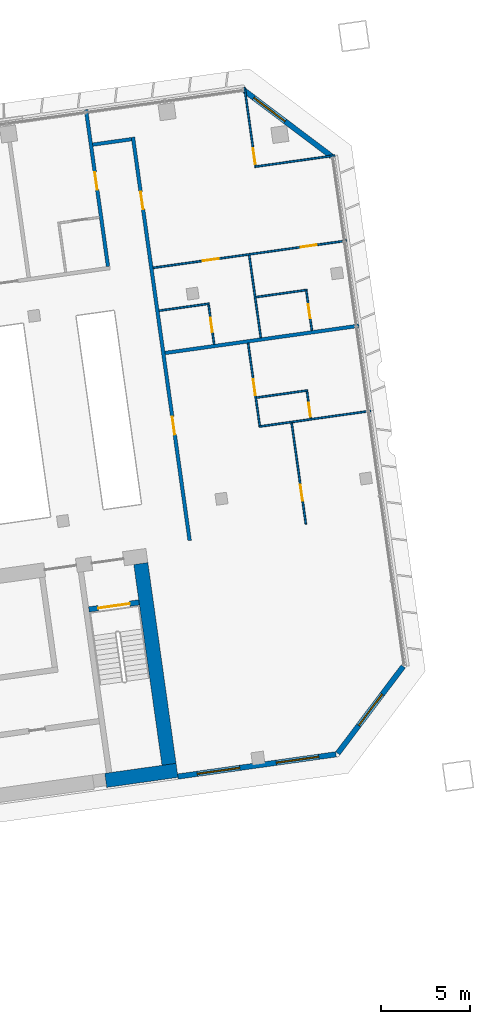
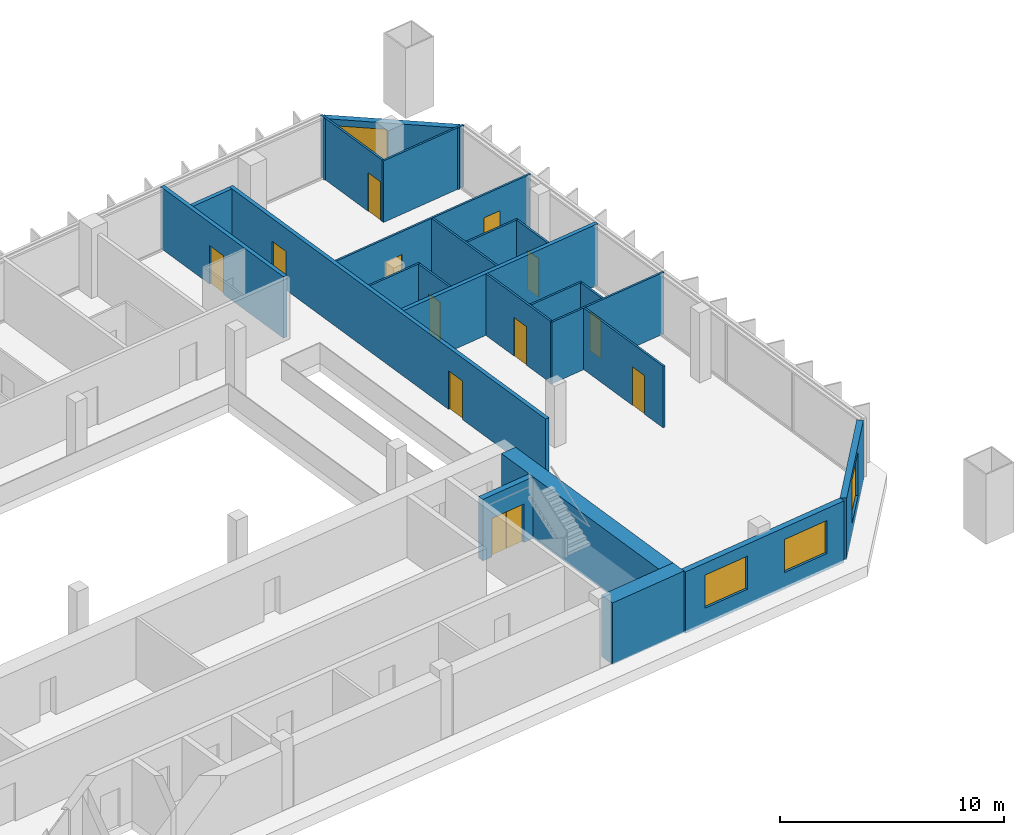
# One storey, part 23 of 26: 23 walls, 12 doors, 4 windows, 16 openings.
"""IFC4 building model written with IfcOpenShell, lengths in metres."""

from ifc_helpers import new_model, si_unit, direction, frame, frame_2d, origin, place, context, subcontext, project, spatial, rectangle, extrude, material, layer, layer_set, type_object, element, fill, save


model = new_model("IFC4")

# Units and contexts
model_context = context("Model", 3, precision=1e-05, world=origin(), true_north=direction((0.0, 1.0)))
body_context = subcontext(model_context, "Body", "Model", "MODEL_VIEW")
ifc_project = project(units=[si_unit("LENGTHUNIT", "METRE"), si_unit("AREAUNIT", "SQUARE_METRE"), si_unit("VOLUMEUNIT", "CUBIC_METRE"), si_unit("PLANEANGLEUNIT", "RADIAN"), si_unit("MASSUNIT", "GRAM", prefix="KILO")], contexts=[model_context])

# Site, building, storey
site_placement = place(None, origin())
site = spatial("IfcSite", under=ifc_project, at=site_placement, CompositionType="ELEMENT")
building_placement = place(site_placement, origin())
building = spatial("IfcBuilding", under=site, at=building_placement, Name="Mirante Cascada Hotel Towers", CompositionType="ELEMENT")
storey_placement = place(building_placement, frame((0.0, 0.0, 144.3)))
storey = spatial("IfcBuildingStorey", under=building, at=storey_placement, Name="L33", CompositionType="ELEMENT", Elevation=144.3)

# Walls
ifc_material_1 = material(Name="Fire-rated plasterboard on metal studs")
ifc_layer_1 = layer(ifc_material_1, 0.2)
ifc_layer_set_1 = layer_set([ifc_layer_1], Name="Compartment wall 200 EI 120")
wall_type_1 = type_object("IfcWallType", Name="Compartment wall 200 EI 120", PredefinedType="PARTITIONING", material=ifc_layer_set_1)
wall_1_placement = place(storey_placement, frame((89.7337, 11.2758, 0.0), z_axis=(0.0, 0.0, 1.0), x_axis=(0.990268, 0.1391733, 0.0)))
element("IfcWall", 1, at=wall_1_placement, inside=storey, type_object=wall_type_1, Name="Wall 2-L33-12", PredefinedType="PARTITIONING", context=body_context, shape_type="SweptSolid", body=[
    extrude(rectangle(XDim=11.0, YDim=0.2, at=frame_2d((5.5, 0.0))), origin(), (0.0, 0.0, 1.0), 3.35),
])
wall_2_placement = place(storey_placement, frame((87.8424, 23.2963, 0.0), z_axis=(0.0, 0.0, 1.0), x_axis=(-0.990267, -0.139181, 0.0)))
element("IfcWall", 2, at=wall_2_placement, inside=storey, type_object=wall_type_1, Name="Wall 2-L33-27", PredefinedType="PARTITIONING", context=body_context, shape_type="SweptSolid", body=[
    extrude(rectangle(XDim=2.2, YDim=0.2, at=frame_2d((1.1, 0.0))), origin(), (0.0, 0.0, 1.0), 3.35),
])

# Wall, opening, door
wall_3_placement = place(storey_placement, frame((86.525, 16.1433, 0.0), z_axis=(0.0, 0.0, 1.0), x_axis=(-0.1391684, 0.9902687, 0.0)))
wall_3 = element("IfcWall", 3, at=wall_3_placement, inside=storey, type_object=wall_type_1, Name="Wall 2-L33-56", PredefinedType="PARTITIONING", context=body_context, shape_type="SweptSolid", body=[
    extrude(rectangle(XDim=8.9, YDim=0.2, at=frame_2d((4.45, 0.0))), origin(), (0.0, 0.0, 1.0), 3.35),
])
opening_1_placement = place(wall_3_placement, frame((4.35, 0.0, 0.0)))
opening_1 = element("IfcOpeningElement", 4, at=opening_1_placement, cuts=wall_3, Name="Opening D2-L33-32", PredefinedType="OPENING", context=body_context, shape_type="SweptSolid", body=[
    extrude(rectangle(XDim=1.0, YDim=2.1, at=frame_2d((0.5, 1.05))), frame((0.0, 0.1, 0.0), z_axis=(0.0, -1.0, 0.0), x_axis=(1.0, 0.0, 0.0)), (0.0, 0.0, 1.0), 0.2),
])
ifc_material_2 = material(Name="Fire-rated timber door leaf", Category="wood")
door_type_1 = type_object("IfcDoorType", Name="Entrance door DG1 1000x2100 EI 60", OperationType="SINGLE_SWING_LEFT", PredefinedType="DOOR", material=ifc_material_2)
door_1_placement = place(opening_1_placement, origin())
door_1 = element("IfcDoor", 5, at=door_1_placement, inside=storey, type_object=door_type_1, Name="Door D2-L33-32", OperationType="SINGLE_SWING_LEFT", OverallHeight=2.1, OverallWidth=1.0, PredefinedType="DOOR", context=body_context, shape_type="SweptSolid", body=[
    extrude(rectangle(XDim=1.0, YDim=2.1, at=frame_2d((0.5, 1.05))), frame((0.0, 0.025, 0.0), z_axis=(0.0, -1.0, 0.0), x_axis=(1.0, 0.0, 0.0)), (0.0, 0.0, 1.0), 0.05),
])
fill(opening_1, door_1)

# Wall, openings, doors
wall_4_placement = place(storey_placement, frame((87.9275, 23.4092, 0.0), z_axis=(0.0, 0.0, 1.0), x_axis=(0.1391706, -0.9902684, 0.0)))
wall_4 = element("IfcWall", 6, at=wall_4_placement, inside=storey, type_object=wall_type_1, Name="Wall 2-L33-57", PredefinedType="PARTITIONING", context=body_context, shape_type="SweptSolid", body=[
    extrude(rectangle(XDim=22.9, YDim=0.2, at=frame_2d((11.45, 0.0))), origin(), (0.0, 0.0, 1.0), 3.35),
])
opening_2_placement = place(wall_4_placement, frame((15.8834, 0.0, 0.0)))
opening_2 = element("IfcOpeningElement", 7, at=opening_2_placement, cuts=wall_4, Name="Opening D2-L33-33", PredefinedType="OPENING", context=body_context, shape_type="SweptSolid", body=[
    extrude(rectangle(XDim=1.0, YDim=2.1, at=frame_2d((0.5, 1.05))), frame((0.0, 0.1, 0.0), z_axis=(0.0, -1.0, 0.0), x_axis=(1.0, 0.0, 0.0)), (0.0, 0.0, 1.0), 0.2),
])
opening_3_placement = place(wall_4_placement, frame((3.1, 0.0, 0.0)))
opening_3 = element("IfcOpeningElement", 8, at=opening_3_placement, cuts=wall_4, Name="Opening D2-L33-34", PredefinedType="OPENING", context=body_context, shape_type="SweptSolid", body=[
    extrude(rectangle(XDim=1.0, YDim=2.1, at=frame_2d((0.5, 1.05))), frame((0.0, 0.1, 0.0), z_axis=(0.0, -1.0, 0.0), x_axis=(1.0, 0.0, 0.0)), (0.0, 0.0, 1.0), 0.2),
])
door_2_placement = place(opening_2_placement, origin())
door_2 = element("IfcDoor", 9, at=door_2_placement, inside=storey, type_object=door_type_1, Name="Door D2-L33-33", OperationType="SINGLE_SWING_LEFT", OverallHeight=2.1, OverallWidth=1.0, PredefinedType="DOOR", context=body_context, shape_type="SweptSolid", body=[
    extrude(rectangle(XDim=1.0, YDim=2.1, at=frame_2d((0.5, 1.05))), frame((0.0, 0.025, 0.0), z_axis=(0.0, -1.0, 0.0), x_axis=(1.0, 0.0, 0.0)), (0.0, 0.0, 1.0), 0.05),
])
fill(opening_2, door_2)
door_3_placement = place(opening_3_placement, origin())
door_3 = element("IfcDoor", 10, at=door_3_placement, inside=storey, type_object=door_type_1, Name="Door D2-L33-34", OperationType="SINGLE_SWING_LEFT", OverallHeight=2.1, OverallWidth=1.0, PredefinedType="DOOR", context=body_context, shape_type="SweptSolid", body=[
    extrude(rectangle(XDim=1.0, YDim=2.1, at=frame_2d((0.5, 1.05))), frame((0.0, 0.025, 0.0), z_axis=(0.0, -1.0, 0.0), x_axis=(1.0, 0.0, 0.0)), (0.0, 0.0, 1.0), 0.05),
])
fill(opening_3, door_3)

# Walls
ifc_material_3 = material(Name="Plasterboard on metal studs")
ifc_layer_2 = layer(ifc_material_3, 0.1)
ifc_layer_set_2 = layer_set([ifc_layer_2], Name="Partition 100")
wall_type_2 = type_object("IfcWallType", Name="Partition 100", PredefinedType="PARTITIONING", material=ifc_layer_set_2)
wall_5_placement = place(storey_placement, frame((101.2993, 8.0205, 0.0), z_axis=(0.0, 0.0, 1.0), x_axis=(-0.990267, -0.139181, 0.0)))
element("IfcWall", 11, at=wall_5_placement, inside=storey, type_object=wall_type_2, Name="Wall 2-L33-07", PredefinedType="PARTITIONING", context=body_context, shape_type="SweptSolid", body=[
    extrude(rectangle(XDim=6.35, YDim=0.1, at=frame_2d((3.175, 0.0))), origin(), (0.0, 0.0, 1.0), 3.35),
])
wall_6_placement = place(storey_placement, frame((94.8828, 8.768, 0.0), z_axis=(0.0, 0.0, 1.0), x_axis=(0.9902683, 0.1391714, 0.0)))
element("IfcWall", 12, at=wall_6_placement, inside=storey, type_object=wall_type_2, Name="Wall 2-L33-08", PredefinedType="PARTITIONING", context=body_context, shape_type="SweptSolid", body=[
    extrude(rectangle(XDim=2.9, YDim=0.1, at=frame_2d((1.45, 0.0))), origin(), (0.0, 0.0, 1.0), 3.35),
])
wall_7_placement = place(storey_placement, frame((92.2219, 14.0491, 0.0), z_axis=(0.0, 0.0, 1.0), x_axis=(-0.9902697, -0.1391613, 0.0)))
element("IfcWall", 13, at=wall_7_placement, inside=storey, type_object=wall_type_2, Name="Wall 2-L33-13", PredefinedType="PARTITIONING", context=body_context, shape_type="SweptSolid", body=[
    extrude(rectangle(XDim=2.8499, YDim=0.1, at=frame_2d((1.425, 0.0))), origin(), (0.0, 0.0, 1.0), 3.35),
])
wall_8_placement = place(storey_placement, frame((94.8461, 14.4179, 0.0), z_axis=(0.0, 0.0, 1.0), x_axis=(0.9902683, 0.1391714, 0.0)))
element("IfcWall", 14, at=wall_8_placement, inside=storey, type_object=wall_type_2, Name="Wall 2-L33-14", PredefinedType="PARTITIONING", context=body_context, shape_type="SweptSolid", body=[
    extrude(rectangle(XDim=2.9, YDim=0.1, at=frame_2d((1.45, 0.0))), origin(), (0.0, 0.0, 1.0), 3.35),
])

# Wall, openings, doors
wall_9_placement = place(storey_placement, frame((99.954, 17.5931, 0.0), z_axis=(0.0, 0.0, 1.0), x_axis=(-0.9902682, -0.1391721, 0.0)))
wall_9 = element("IfcWall", 15, at=wall_9_placement, inside=storey, type_object=wall_type_2, Name="Wall 2-L33-15", PredefinedType="PARTITIONING", context=body_context, shape_type="SweptSolid", body=[
    extrude(rectangle(XDim=11.0001, YDim=0.1, at=frame_2d((5.5, 0.0))), origin(), (0.0, 0.0, 1.0), 3.35),
])
opening_4_placement = place(wall_9_placement, frame((7.275, 0.0, 0.0)))
opening_4 = element("IfcOpeningElement", 16, at=opening_4_placement, cuts=wall_9, Name="Opening D2-L33-04", PredefinedType="OPENING", context=body_context, shape_type="SweptSolid", body=[
    extrude(rectangle(XDim=0.9, YDim=2.1, at=frame_2d((0.45, 1.05))), frame((0.0, 0.05, 0.0), z_axis=(0.0, -1.0, 0.0), x_axis=(1.0, 0.0, 0.0)), (0.0, 0.0, 1.0), 0.1),
])
opening_5_placement = place(wall_9_placement, frame((1.725, 0.0, 0.0)))
opening_5 = element("IfcOpeningElement", 17, at=opening_5_placement, cuts=wall_9, Name="Opening D2-L33-05", PredefinedType="OPENING", context=body_context, shape_type="SweptSolid", body=[
    extrude(rectangle(XDim=0.9, YDim=2.1, at=frame_2d((0.45, 1.05))), frame((0.0, 0.05, 0.0), z_axis=(0.0, -1.0, 0.0), x_axis=(1.0, 0.0, 0.0)), (0.0, 0.0, 1.0), 0.1),
])
ifc_material_4 = material(Name="Timber door leaf", Category="wood")
door_type_2 = type_object("IfcDoorType", Name="Room door DG3 900x2100", OperationType="SINGLE_SWING_LEFT", PredefinedType="DOOR", material=ifc_material_4)
door_4_placement = place(opening_4_placement, frame((0.9, 0.0, 0.0), z_axis=(0.0, 0.0, 1.0), x_axis=(-1.0, 0.0, 0.0)))
door_4 = element("IfcDoor", 18, at=door_4_placement, inside=storey, type_object=door_type_2, Name="Door D2-L33-04", OperationType="SINGLE_SWING_RIGHT", OverallHeight=2.1, OverallWidth=0.9, PredefinedType="DOOR", context=body_context, shape_type="SweptSolid", body=[
    extrude(rectangle(XDim=0.9, YDim=2.1, at=frame_2d((0.45, 1.05))), frame((0.0, 0.025, 0.0), z_axis=(0.0, -1.0, 0.0), x_axis=(1.0, 0.0, 0.0)), (0.0, 0.0, 1.0), 0.05),
])
fill(opening_4, door_4)
door_5_placement = place(opening_5_placement, frame((0.9, 0.0, 0.0), z_axis=(0.0, 0.0, 1.0), x_axis=(-1.0, 0.0, 0.0)))
door_5 = element("IfcDoor", 19, at=door_5_placement, inside=storey, type_object=door_type_2, Name="Door D2-L33-05", OperationType="SINGLE_SWING_RIGHT", OverallHeight=2.1, OverallWidth=0.9, PredefinedType="DOOR", context=body_context, shape_type="SweptSolid", body=[
    extrude(rectangle(XDim=0.9, YDim=2.1, at=frame_2d((0.45, 1.05))), frame((0.0, 0.025, 0.0), z_axis=(0.0, -1.0, 0.0), x_axis=(1.0, 0.0, 0.0)), (0.0, 0.0, 1.0), 0.05),
])
fill(opening_5, door_5)

# Wall
wall_10_placement = place(storey_placement, frame((99.2813, 22.3794, 0.0), z_axis=(0.0, 0.0, 1.0), x_axis=(-0.9902661, -0.1391871, 0.0)))
element("IfcWall", 20, at=wall_10_placement, inside=storey, type_object=wall_type_2, Name="Wall 2-L33-25", PredefinedType="PARTITIONING", context=body_context, shape_type="SweptSolid", body=[
    extrude(rectangle(XDim=4.55, YDim=0.1, at=frame_2d((2.275, 0.0))), origin(), (0.0, 0.0, 1.0), 3.35),
])

# Wall, opening, door
wall_11_placement = place(storey_placement, frame((92.4925, 11.7645, 0.0), z_axis=(0.0, 0.0, 1.0), x_axis=(-0.1391561, 0.9902705, 0.0)))
wall_11 = element("IfcWall", 21, at=wall_11_placement, inside=storey, type_object=wall_type_2, Name="Wall 2-L33-58", PredefinedType="PARTITIONING", context=body_context, shape_type="SweptSolid", body=[
    extrude(rectangle(XDim=2.25, YDim=0.1, at=frame_2d((1.125, 0.0))), origin(), (0.0, 0.0, 1.0), 3.35),
])
opening_6_placement = place(wall_11_placement, frame((0.7, 0.0, 0.0)))
opening_6 = element("IfcOpeningElement", 22, at=opening_6_placement, cuts=wall_11, Name="Opening D2-L33-35", PredefinedType="OPENING", context=body_context, shape_type="SweptSolid", body=[
    extrude(rectangle(XDim=0.8, YDim=2.1, at=frame_2d((0.4, 1.05))), frame((0.0, 0.05, 0.0), z_axis=(0.0, -1.0, 0.0), x_axis=(1.0, 0.0, 0.0)), (0.0, 0.0, 1.0), 0.1),
])
ifc_material_5 = material(Name="Timber door leaf", Category="wood")
door_type_3 = type_object("IfcDoorType", Name="Bathroom door DG4 800x2100", OperationType="SINGLE_SWING_LEFT", PredefinedType="DOOR", material=ifc_material_5)
door_6_placement = place(opening_6_placement, origin())
door_6 = element("IfcDoor", 23, at=door_6_placement, inside=storey, type_object=door_type_3, Name="Door D2-L33-35", OperationType="SINGLE_SWING_LEFT", OverallHeight=2.1, OverallWidth=0.8, PredefinedType="DOOR", context=body_context, shape_type="SweptSolid", body=[
    extrude(rectangle(XDim=0.8, YDim=2.1, at=frame_2d((0.4, 1.05))), frame((0.0, 0.025, 0.0), z_axis=(0.0, -1.0, 0.0), x_axis=(1.0, 0.0, 0.0)), (0.0, 0.0, 1.0), 0.05),
])
fill(opening_6, door_6)

wall_12_placement = place(storey_placement, frame((94.4019, 11.8309, 0.0), z_axis=(0.0, 0.0, 1.0), x_axis=(0.139176, -0.9902677, 0.0)))
wall_12 = element("IfcWall", 24, at=wall_12_placement, inside=storey, type_object=wall_type_2, Name="Wall 2-L33-59", PredefinedType="PARTITIONING", context=body_context, shape_type="SweptSolid", body=[
    extrude(rectangle(XDim=4.6833, YDim=0.1, at=frame_2d((2.3416, 0.0))), origin(), (0.0, 0.0, 1.0), 3.35),
])
opening_7_placement = place(wall_12_placement, frame((2.05, 0.0, 0.0)))
opening_7 = element("IfcOpeningElement", 25, at=opening_7_placement, cuts=wall_12, Name="Opening D2-L33-36", PredefinedType="OPENING", context=body_context, shape_type="SweptSolid", body=[
    extrude(rectangle(XDim=0.9, YDim=2.1, at=frame_2d((0.45, 1.05))), frame((0.0, 0.05, 0.0), z_axis=(0.0, -1.0, 0.0), x_axis=(1.0, 0.0, 0.0)), (0.0, 0.0, 1.0), 0.1),
])
door_7_placement = place(opening_7_placement, frame((0.9, 0.0, 0.0), z_axis=(0.0, 0.0, 1.0), x_axis=(-1.0, 0.0, 0.0)))
door_7 = element("IfcDoor", 26, at=door_7_placement, inside=storey, type_object=door_type_2, Name="Door D2-L33-36", OperationType="SINGLE_SWING_RIGHT", OverallHeight=2.1, OverallWidth=0.9, PredefinedType="DOOR", context=body_context, shape_type="SweptSolid", body=[
    extrude(rectangle(XDim=0.9, YDim=2.1, at=frame_2d((0.45, 1.05))), frame((0.0, 0.025, 0.0), z_axis=(0.0, -1.0, 0.0), x_axis=(1.0, 0.0, 0.0)), (0.0, 0.0, 1.0), 0.05),
])
fill(opening_7, door_7)

# Wall
wall_13_placement = place(storey_placement, frame((95.1167, 12.1333, 0.0), z_axis=(0.0, 0.0, 1.0), x_axis=(-0.1391701, 0.9902685, 0.0)))
element("IfcWall", 27, at=wall_13_placement, inside=storey, type_object=wall_type_2, Name="Wall 2-L33-60", PredefinedType="PARTITIONING", context=body_context, shape_type="SweptSolid", body=[
    extrude(rectangle(XDim=4.6835, YDim=0.1, at=frame_2d((2.3418, 0.0))), origin(), (0.0, 0.0, 1.0), 3.35),
])

# Wall, opening, door
wall_14_placement = place(storey_placement, frame((96.8501, 7.3447, 0.0), z_axis=(0.0, 0.0, 1.0), x_axis=(0.139164, -0.9902694, 0.0)))
wall_14 = element("IfcWall", 28, at=wall_14_placement, inside=storey, type_object=wall_type_2, Name="Wall 2-L33-61", PredefinedType="PARTITIONING", context=body_context, shape_type="SweptSolid", body=[
    extrude(rectangle(XDim=5.7501, YDim=0.1, at=frame_2d((2.875, 0.0))), origin(), (0.0, 0.0, 1.0), 3.35),
])
opening_8_placement = place(wall_14_placement, frame((3.5167, 0.0, 0.0)))
opening_8 = element("IfcOpeningElement", 29, at=opening_8_placement, cuts=wall_14, Name="Opening D2-L33-37", PredefinedType="OPENING", context=body_context, shape_type="SweptSolid", body=[
    extrude(rectangle(XDim=0.9, YDim=2.1, at=frame_2d((0.45, 1.05))), frame((0.0, 0.05, 0.0), z_axis=(0.0, -1.0, 0.0), x_axis=(1.0, 0.0, 0.0)), (0.0, 0.0, 1.0), 0.1),
])
door_8_placement = place(opening_8_placement, frame((0.9, 0.0, 0.0), z_axis=(0.0, 0.0, 1.0), x_axis=(-1.0, 0.0, 0.0)))
door_8 = element("IfcDoor", 30, at=door_8_placement, inside=storey, type_object=door_type_2, Name="Door D2-L33-37", OperationType="SINGLE_SWING_RIGHT", OverallHeight=2.1, OverallWidth=0.9, PredefinedType="DOOR", context=body_context, shape_type="SweptSolid", body=[
    extrude(rectangle(XDim=0.9, YDim=2.1, at=frame_2d((0.45, 1.05))), frame((0.0, 0.025, 0.0), z_axis=(0.0, -1.0, 0.0), x_axis=(1.0, 0.0, 0.0)), (0.0, 0.0, 1.0), 0.05),
])
fill(opening_8, door_8)

wall_15_placement = place(storey_placement, frame((94.8181, 21.8026, 0.0), z_axis=(0.0, 0.0, 1.0), x_axis=(-0.1391684, 0.9902687, 0.0)))
wall_15 = element("IfcWall", 31, at=wall_15_placement, inside=storey, type_object=wall_type_2, Name="Wall 2-L33-62", PredefinedType="PARTITIONING", context=body_context, shape_type="SweptSolid", body=[
    extrude(rectangle(XDim=4.45, YDim=0.1, at=frame_2d((2.225, 0.0))), origin(), (0.0, 0.0, 1.0), 3.35),
])
opening_9_placement = place(wall_15_placement, frame((0.1, 0.0, 0.0)))
opening_9 = element("IfcOpeningElement", 32, at=opening_9_placement, cuts=wall_15, Name="Opening D2-L33-38", PredefinedType="OPENING", context=body_context, shape_type="SweptSolid", body=[
    extrude(rectangle(XDim=0.9, YDim=2.1, at=frame_2d((0.45, 1.05))), frame((0.0, 0.05, 0.0), z_axis=(0.0, -1.0, 0.0), x_axis=(1.0, 0.0, 0.0)), (0.0, 0.0, 1.0), 0.1),
])
door_9_placement = place(opening_9_placement, origin())
door_9 = element("IfcDoor", 33, at=door_9_placement, inside=storey, type_object=door_type_2, Name="Door D2-L33-38", OperationType="SINGLE_SWING_LEFT", OverallHeight=2.1, OverallWidth=0.9, PredefinedType="DOOR", context=body_context, shape_type="SweptSolid", body=[
    extrude(rectangle(XDim=0.9, YDim=2.1, at=frame_2d((0.45, 1.05))), frame((0.0, 0.025, 0.0), z_axis=(0.0, -1.0, 0.0), x_axis=(1.0, 0.0, 0.0)), (0.0, 0.0, 1.0), 0.05),
])
fill(opening_9, door_9)

wall_16_placement = place(storey_placement, frame((97.712, 9.1152, 0.0), z_axis=(0.0, 0.0, 1.0), x_axis=(0.1391749, -0.9902678, 0.0)))
wall_16 = element("IfcWall", 34, at=wall_16_placement, inside=storey, type_object=wall_type_2, Name="Wall 2-L33-63", PredefinedType="PARTITIONING", context=body_context, shape_type="SweptSolid", body=[
    extrude(rectangle(XDim=1.5333, YDim=0.1, at=frame_2d((0.7667, 0.0))), origin(), (0.0, 0.0, 1.0), 3.35),
])
opening_10_placement = place(wall_16_placement, frame((0.6333, 0.0, 0.0)))
opening_10 = element("IfcOpeningElement", 35, at=opening_10_placement, cuts=wall_16, Name="Opening D2-L33-39", PredefinedType="OPENING", context=body_context, shape_type="SweptSolid", body=[
    extrude(rectangle(XDim=0.8, YDim=2.1, at=frame_2d((0.4, 1.05))), frame((0.0, 0.05, 0.0), z_axis=(0.0, -1.0, 0.0), x_axis=(1.0, 0.0, 0.0)), (0.0, 0.0, 1.0), 0.1),
])
door_10_placement = place(opening_10_placement, origin())
door_10 = element("IfcDoor", 36, at=door_10_placement, inside=storey, type_object=door_type_3, Name="Door D2-L33-39", OperationType="SINGLE_SWING_LEFT", OverallHeight=2.1, OverallWidth=0.8, PredefinedType="DOOR", context=body_context, shape_type="SweptSolid", body=[
    extrude(rectangle(XDim=0.8, YDim=2.1, at=frame_2d((0.4, 1.05))), frame((0.0, 0.025, 0.0), z_axis=(0.0, -1.0, 0.0), x_axis=(1.0, 0.0, 0.0)), (0.0, 0.0, 1.0), 0.05),
])
fill(opening_10, door_10)

wall_17_placement = place(storey_placement, frame((97.9885, 12.5369, 0.0), z_axis=(0.0, 0.0, 1.0), x_axis=(-0.1391561, 0.9902705, 0.0)))
wall_17 = element("IfcWall", 37, at=wall_17_placement, inside=storey, type_object=wall_type_2, Name="Wall 2-L33-64", PredefinedType="PARTITIONING", context=body_context, shape_type="SweptSolid", body=[
    extrude(rectangle(XDim=2.25, YDim=0.1, at=frame_2d((1.125, 0.0))), origin(), (0.0, 0.0, 1.0), 3.35),
])
opening_11_placement = place(wall_17_placement, frame((0.7, 0.0, 0.0)))
opening_11 = element("IfcOpeningElement", 38, at=opening_11_placement, cuts=wall_17, Name="Opening D2-L33-40", PredefinedType="OPENING", context=body_context, shape_type="SweptSolid", body=[
    extrude(rectangle(XDim=0.8, YDim=2.1, at=frame_2d((0.4, 1.05))), frame((0.0, 0.05, 0.0), z_axis=(0.0, -1.0, 0.0), x_axis=(1.0, 0.0, 0.0)), (0.0, 0.0, 1.0), 0.1),
])
door_11_placement = place(opening_11_placement, origin())
door_11 = element("IfcDoor", 39, at=door_11_placement, inside=storey, type_object=door_type_3, Name="Door D2-L33-40", OperationType="SINGLE_SWING_LEFT", OverallHeight=2.1, OverallWidth=0.8, PredefinedType="DOOR", context=body_context, shape_type="SweptSolid", body=[
    extrude(rectangle(XDim=0.8, YDim=2.1, at=frame_2d((0.4, 1.05))), frame((0.0, 0.025, 0.0), z_axis=(0.0, -1.0, 0.0), x_axis=(1.0, 0.0, 0.0)), (0.0, 0.0, 1.0), 0.05),
])
fill(opening_11, door_11)

# Wall, openings, windows
ifc_material_6 = material(Name="Precast concrete C40/50", Category="concrete")
ifc_layer_3 = layer(ifc_material_6, 0.3)
ifc_layer_set_3 = layer_set([ifc_layer_3], Name="Precast concrete C40/50 cladding wall 300")
wall_type_3 = type_object("IfcWallType", Name="Precast concrete C40/50 cladding wall 300", PredefinedType="STANDARD", material=ifc_layer_set_3)
wall_18_placement = place(storey_placement, frame((90.4551, -12.5388, 0.0), z_axis=(0.0, 0.0, 1.0), x_axis=(0.9902678, 0.1391749, 0.0)))
wall_18 = element("IfcWall", 40, at=wall_18_placement, inside=storey, type_object=wall_type_3, Name="Rear cladding wall T2 L33 1", PredefinedType="STANDARD", context=body_context, shape_type="SweptSolid", body=[
    extrude(rectangle(XDim=8.9758, YDim=0.3, at=frame_2d((4.4879, 0.0))), origin(), (0.0, 0.0, 1.0), 3.35),
])
opening_12_placement = place(wall_18_placement, frame((1.1012, 0.0, 0.9)))
opening_12 = element("IfcOpeningElement", 41, at=opening_12_placement, cuts=wall_18, Name="Opening W2-33-01", PredefinedType="OPENING", context=body_context, shape_type="SweptSolid", body=[
    extrude(rectangle(XDim=2.4, YDim=1.8, at=frame_2d((1.2, 0.9))), frame((0.0, 0.15, 0.0), z_axis=(0.0, -1.0, 0.0), x_axis=(1.0, 0.0, 0.0)), (0.0, 0.0, 1.0), 0.3),
])
opening_13_placement = place(wall_18_placement, frame((5.5923, 0.0, 0.9)))
opening_13 = element("IfcOpeningElement", 42, at=opening_13_placement, cuts=wall_18, Name="Opening W2-33-02", PredefinedType="OPENING", context=body_context, shape_type="SweptSolid", body=[
    extrude(rectangle(XDim=2.4, YDim=1.8, at=frame_2d((1.2, 0.9))), frame((0.0, 0.15, 0.0), z_axis=(0.0, -1.0, 0.0), x_axis=(1.0, 0.0, 0.0)), (0.0, 0.0, 1.0), 0.3),
])
ifc_material_7 = material(Name="Aluminium frame with clear double glazing", Category="aluminium")
window_type_1 = type_object("IfcWindowType", Name="Punched window 2400x1800", PartitioningType="DOUBLE_PANEL_VERTICAL", PredefinedType="WINDOW", material=ifc_material_7)
window_1_placement = place(opening_12_placement, origin())
window_1 = element("IfcWindow", 43, at=window_1_placement, inside=storey, type_object=window_type_1, Name="Window W2-33-01", OverallHeight=1.8, OverallWidth=2.4, PartitioningType="SINGLE_PANEL", PredefinedType="WINDOW", context=body_context, shape_type="SweptSolid", body=[
    extrude(rectangle(XDim=2.4, YDim=1.8, at=frame_2d((1.2, 0.9))), frame((0.0, 0.03, 0.0), z_axis=(0.0, -1.0, 0.0), x_axis=(1.0, 0.0, 0.0)), (0.0, 0.0, 1.0), 0.06),
])
fill(opening_12, window_1)
window_2_placement = place(opening_13_placement, origin())
window_2 = element("IfcWindow", 44, at=window_2_placement, inside=storey, type_object=window_type_1, Name="Window W2-33-02", OverallHeight=1.8, OverallWidth=2.4, PartitioningType="SINGLE_PANEL", PredefinedType="WINDOW", context=body_context, shape_type="SweptSolid", body=[
    extrude(rectangle(XDim=2.4, YDim=1.8, at=frame_2d((1.2, 0.9))), frame((0.0, 0.03, 0.0), z_axis=(0.0, -1.0, 0.0), x_axis=(1.0, 0.0, 0.0)), (0.0, 0.0, 1.0), 0.06),
])
fill(opening_13, window_2)

# Wall, opening, window
wall_19_placement = place(storey_placement, frame((99.4424, -11.2313, 0.0), z_axis=(0.0, 0.0, 1.0), x_axis=(0.6018194, 0.7986322, 0.0)))
wall_19 = element("IfcWall", 45, at=wall_19_placement, inside=storey, type_object=wall_type_3, Name="Corner cladding wall T2 L33 rear outer", PredefinedType="STANDARD", context=body_context, shape_type="SweptSolid", body=[
    extrude(rectangle(XDim=6.1155, YDim=0.3, at=frame_2d((3.0578, 0.0))), origin(), (0.0, 0.0, 1.0), 3.35),
])
opening_14_placement = place(wall_19_placement, frame((1.9576, 0.0, 0.6)))
opening_14 = element("IfcOpeningElement", 46, at=opening_14_placement, cuts=wall_19, Name="Opening W2-33-03", PredefinedType="OPENING", context=body_context, shape_type="SweptSolid", body=[
    extrude(rectangle(XDim=2.2, YDim=2.4, at=frame_2d((1.1, 1.2))), frame((0.0, 0.15, 0.0), z_axis=(0.0, -1.0, 0.0), x_axis=(1.0, 0.0, 0.0)), (0.0, 0.0, 1.0), 0.3),
])
ifc_material_8 = material(Name="Aluminium frame with clear double glazing", Category="aluminium")
window_type_2 = type_object("IfcWindowType", Name="Corner suite window 2200x2400", PartitioningType="DOUBLE_PANEL_VERTICAL", PredefinedType="WINDOW", material=ifc_material_8)
window_3_placement = place(opening_14_placement, origin())
window_3 = element("IfcWindow", 47, at=window_3_placement, inside=storey, type_object=window_type_2, Name="Window W2-33-03", OverallHeight=2.4, OverallWidth=2.2, PartitioningType="SINGLE_PANEL", PredefinedType="WINDOW", context=body_context, shape_type="SweptSolid", body=[
    extrude(rectangle(XDim=2.2, YDim=2.4, at=frame_2d((1.1, 1.2))), frame((0.0, 0.03, 0.0), z_axis=(0.0, -1.0, 0.0), x_axis=(1.0, 0.0, 0.0)), (0.0, 0.0, 1.0), 0.06),
])
fill(opening_14, window_3)

wall_20_placement = place(storey_placement, frame((99.0919, 22.3343, 0.0), z_axis=(0.0, 0.0, 1.0), x_axis=(-0.7986362, 0.6018141, 0.0)))
wall_20 = element("IfcWall", 48, at=wall_20_placement, inside=storey, type_object=wall_type_3, Name="Corner cladding wall T2 L33 outer front", PredefinedType="STANDARD", context=body_context, shape_type="SweptSolid", body=[
    extrude(rectangle(XDim=6.1157, YDim=0.3, at=frame_2d((3.0578, 0.0))), origin(), (0.0, 0.0, 1.0), 3.35),
])
opening_15_placement = place(wall_20_placement, frame((3.2692, 0.0, 0.6)))
opening_15 = element("IfcOpeningElement", 49, at=opening_15_placement, cuts=wall_20, Name="Opening W2-33-04", PredefinedType="OPENING", context=body_context, shape_type="SweptSolid", body=[
    extrude(rectangle(XDim=2.2, YDim=2.4, at=frame_2d((1.1, 1.2))), frame((0.0, 0.15, 0.0), z_axis=(0.0, -1.0, 0.0), x_axis=(1.0, 0.0, 0.0)), (0.0, 0.0, 1.0), 0.3),
])
window_4_placement = place(opening_15_placement, origin())
window_4 = element("IfcWindow", 50, at=window_4_placement, inside=storey, type_object=window_type_2, Name="Window W2-33-04", OverallHeight=2.4, OverallWidth=2.2, PartitioningType="SINGLE_PANEL", PredefinedType="WINDOW", context=body_context, shape_type="SweptSolid", body=[
    extrude(rectangle(XDim=2.2, YDim=2.4, at=frame_2d((1.1, 1.2))), frame((0.0, 0.03, 0.0), z_axis=(0.0, -1.0, 0.0), x_axis=(1.0, 0.0, 0.0)), (0.0, 0.0, 1.0), 0.06),
])
fill(opening_15, window_4)

# Wall, opening, door
ifc_material_9 = material(Name="Concrete C50/60", Category="concrete")
ifc_layer_4 = layer(ifc_material_9, 0.3)
ifc_layer_set_4 = layer_set([ifc_layer_4], Name="RC core wall 300 C50/60")
wall_type_4 = type_object("IfcWallType", Name="RC core wall 300 C50/60", PredefinedType="SHEAR", material=ifc_layer_set_4)
wall_21_placement = place(storey_placement, frame((85.4489, -3.1441, 0.0), z_axis=(0.0, 0.0, 1.0), x_axis=(0.9902697, 0.1391613, 0.0)))
wall_21 = element("IfcWall", 51, at=wall_21_placement, inside=storey, type_object=wall_type_4, Name="Core wall T2:L33:11", PredefinedType="SHEAR", context=body_context, shape_type="SweptSolid", body=[
    extrude(rectangle(XDim=2.8499, YDim=0.3, at=frame_2d((1.425, 0.0))), origin(), (0.0, 0.0, 1.0), 3.35),
])
opening_16_placement = place(wall_21_placement, frame((0.525, 0.0, 0.0)))
opening_16 = element("IfcOpeningElement", 52, at=opening_16_placement, cuts=wall_21, Name="Opening D2-33-C17", PredefinedType="OPENING", context=body_context, shape_type="SweptSolid", body=[
    extrude(rectangle(XDim=1.8, YDim=2.1, at=frame_2d((0.9, 1.05))), frame((0.0, 0.15, 0.0), z_axis=(0.0, -1.0, 0.0), x_axis=(1.0, 0.0, 0.0)), (0.0, 0.0, 1.0), 0.3),
])
ifc_material_10 = material(Name="Hollow metal fire door leaf")
door_type_4 = type_object("IfcDoorType", Name="Double fire door 1800x2100 FD60", OperationType="DOUBLE_DOOR_SINGLE_SWING", PredefinedType="DOOR", material=ifc_material_10)
door_12_placement = place(opening_16_placement, frame((1.8, 0.0, 0.0), z_axis=(0.0, 0.0, 1.0), x_axis=(-1.0, 0.0, 0.0)))
door_12 = element("IfcDoor", 53, at=door_12_placement, inside=storey, type_object=door_type_4, Name="Stair door T2 L33 17", OperationType="DOUBLE_DOOR_SINGLE_SWING", OverallHeight=2.1, OverallWidth=1.8, PredefinedType="DOOR", context=body_context, shape_type="SweptSolid", body=[
    extrude(rectangle(XDim=0.895, YDim=2.1, at=frame_2d((0.4475, 1.05))), frame((0.0, 0.025, 0.0), z_axis=(0.0, -1.0, 0.0), x_axis=(1.0, 0.0, 0.0)), (0.0, 0.0, 1.0), 0.05),
    extrude(rectangle(XDim=0.895, YDim=2.1, at=frame_2d((1.3525, 1.05))), frame((0.0, 0.025, 0.0), z_axis=(0.0, -1.0, 0.0), x_axis=(1.0, 0.0, 0.0)), (0.0, 0.0, 1.0), 0.05),
])
fill(opening_16, door_12)

# Walls
ifc_material_11 = material(Name="Concrete C50/60", Category="concrete")
ifc_layer_5 = layer(ifc_material_11, 0.8)
ifc_layer_set_5 = layer_set([ifc_layer_5], Name="RC core wall 800 C50/60")
wall_type_5 = type_object("IfcWallType", Name="RC core wall 800 C50/60", PredefinedType="SHEAR", material=ifc_layer_set_5)
wall_22_placement = place(storey_placement, frame((86.3958, -12.7559, 0.0), z_axis=(0.0, 0.0, 1.0), x_axis=(0.9902665, 0.1391845, 0.0)))
element("IfcWall", 54, at=wall_22_placement, inside=storey, type_object=wall_type_5, Name="Core wall T2:L33:1.7", PredefinedType="SHEAR", context=body_context, shape_type="SweptSolid", body=[
    extrude(rectangle(XDim=4.05, YDim=0.8, at=frame_2d((2.025, 0.0))), origin(), (0.0, 0.0, 1.0), 3.35),
])
wall_23_placement = place(storey_placement, frame((89.9546, -11.8518, 0.0), z_axis=(0.0, 0.0, 1.0), x_axis=(-0.1391761, 0.9902677, 0.0)))
element("IfcWall", 55, at=wall_23_placement, inside=storey, type_object=wall_type_5, Name="Core wall T2:L33:4", PredefinedType="SHEAR", context=body_context, shape_type="SweptSolid", body=[
    extrude(rectangle(XDim=11.3999, YDim=0.8, at=frame_2d((5.7, 0.0))), origin(), (0.0, 0.0, 1.0), 3.35),
])

save(model, "model.ifc")
